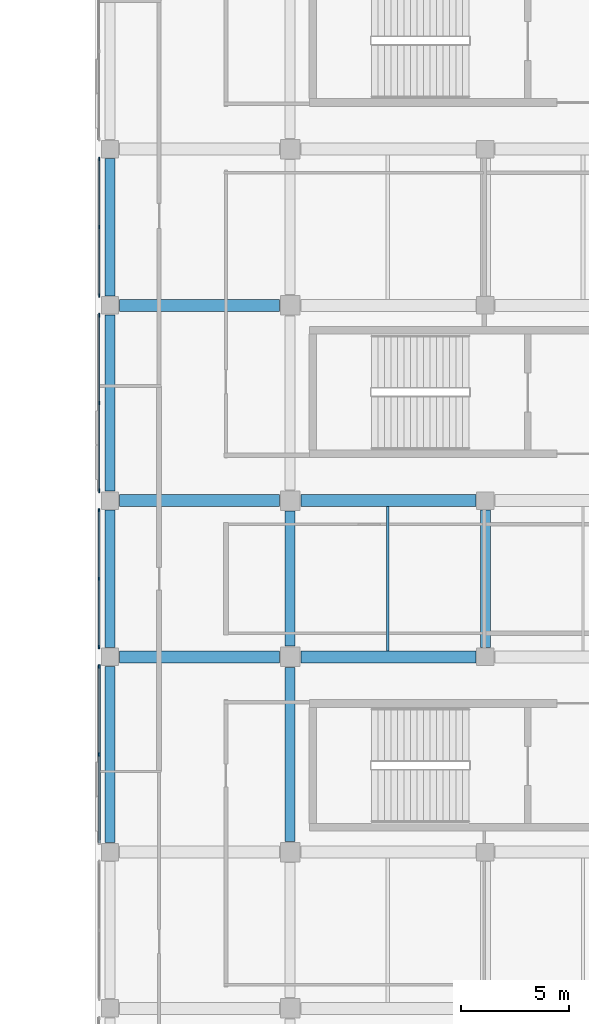
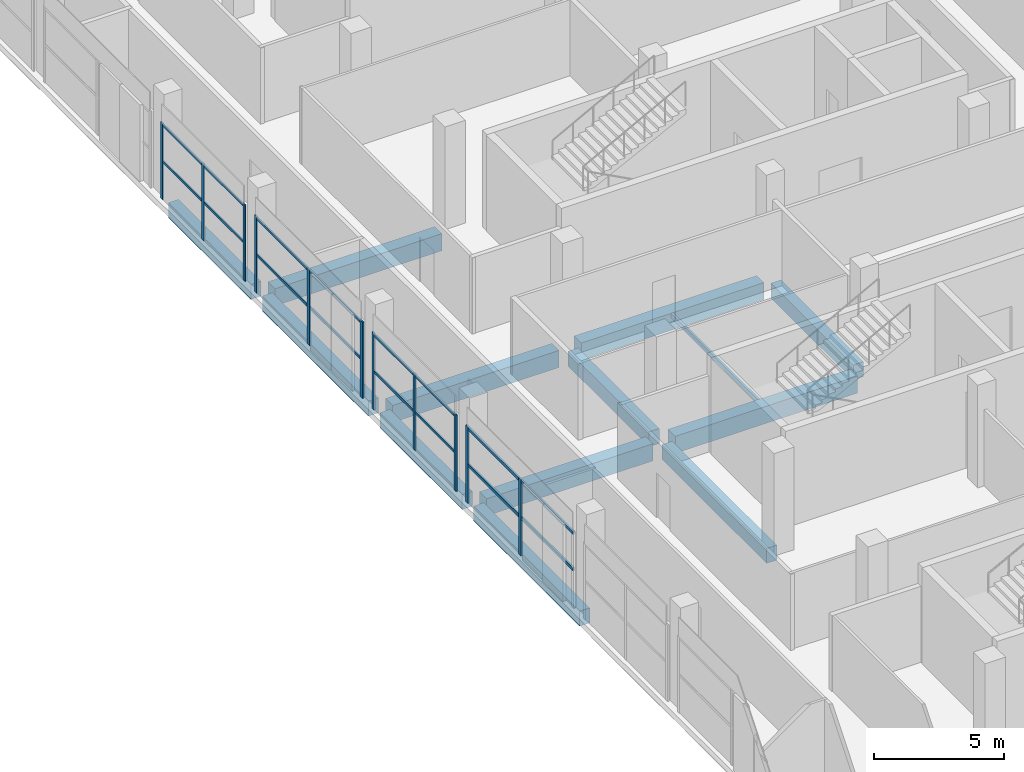
# One storey, part 33 of 111: 19 members, 13 beams, 4 elements without a shape of their own.
"""IFC4 building model written with IfcOpenShell, lengths in metres."""

from ifc_helpers import new_model, si_unit, direction, frame, origin, origin_2d, place, context, subcontext, project, spatial, rectangle, hollow_rectangle, extrude, material, material_profile, profile_set, type_object, element, aggregate, save


model = new_model("IFC4")

# Units and contexts
model_context = context("Model", 3, precision=1e-05, world=origin(), true_north=direction((0.0, 1.0)))
body_context = subcontext(model_context, "Body", "Model", "MODEL_VIEW")
ifc_project = project(units=[si_unit("LENGTHUNIT", "METRE"), si_unit("AREAUNIT", "SQUARE_METRE"), si_unit("VOLUMEUNIT", "CUBIC_METRE"), si_unit("PLANEANGLEUNIT", "RADIAN"), si_unit("MASSUNIT", "GRAM", prefix="KILO"), si_unit("THERMODYNAMICTEMPERATUREUNIT", "KELVIN"), si_unit("POWERUNIT", "WATT")], contexts=[model_context])

# Site, building, storey
site_placement = place(None, origin())
site = spatial("IfcSite", under=ifc_project, at=site_placement, CompositionType="ELEMENT")
building_placement = place(site_placement, origin())
building = spatial("IfcBuilding", under=site, at=building_placement, Name="Sindhuravela Promenade Stadium", CompositionType="ELEMENT")
storey_placement = place(building_placement, frame((0.0, 0.0, 9.60009765625)))
storey = spatial("IfcBuildingStorey", under=building, at=storey_placement, Name="L02", CompositionType="ELEMENT", Elevation=9.60009765625)

# Curtain wall, members
ifc_material_1 = material(Name="Anodised architectural aluminium 6063-T6", Category="aluminium")
curtain_wall_type_1 = type_object("IfcCurtainWallType", Name="CW-MOD-1", PredefinedType="NOTDEFINED", material=ifc_material_1)
curtain_wall_1_placement = place(storey_placement, origin())
curtain_wall_1 = element("IfcCurtainWall", 1, at=curtain_wall_1_placement, inside=storey, type_object=curtain_wall_type_1, Name="Bronze curtain wall CW-EAST-L02-096", PredefinedType="NOTDEFINED")
ifc_material_profile_1 = material_profile(ifc_material_1, rectangle(XDim=0.074951171875, YDim=0.175048828125, at=origin_2d()), Name="ALU MULL 75x175")
ifc_profile_set_1 = profile_set([ifc_material_profile_1], Name="Anodised architectural aluminium 6063-T6")
member_type_1 = type_object("IfcMemberType", Name="CW-MUL-1", PredefinedType="MULLION", material=ifc_profile_set_1)
member_1_placement = place(storey_placement, frame((171.199951171875, 72.89990234375, 0.0), z_axis=(0.0, 0.0, 1.0), x_axis=(1.0, 0.0, 0.0)))
member_1 = element("IfcMember", 2, at=member_1_placement, type_object=member_type_1, Name="Curtain wall mullion CW-EAST-L02-096-M2", PredefinedType="MULLION", context=body_context, shape_type="SweptSolid", body=[
    extrude(rectangle(XDim=0.074951171875, YDim=0.175048828125, at=origin_2d()), origin(), (0.0, 0.0, 1.0), 3.579833984375),
])
member_2_placement = place(storey_placement, frame((171.199951171875, 76.949951171875, 0.0), z_axis=(0.0, 0.0, 1.0), x_axis=(1.0, 0.0, 0.0)))
member_2 = element("IfcMember", 3, at=member_2_placement, type_object=member_type_1, Name="Curtain wall mullion CW-EAST-L02-096-M3", PredefinedType="MULLION", context=body_context, shape_type="SweptSolid", body=[
    extrude(rectangle(XDim=0.074951171875, YDim=0.175048828125, at=origin_2d()), origin(), (0.0, 0.0, 1.0), 3.579833984375),
])

curtain_wall_type_2 = type_object("IfcCurtainWallType", Name="CW-MOD-2", PredefinedType="NOTDEFINED", material=ifc_material_1)
curtain_wall_2_placement = place(storey_placement, origin())
curtain_wall_2 = element("IfcCurtainWall", 4, at=curtain_wall_2_placement, inside=storey, type_object=curtain_wall_type_2, Name="Bronze curtain wall CW-EAST-L02-097", PredefinedType="NOTDEFINED")
ifc_material_profile_2 = material_profile(ifc_material_1, rectangle(XDim=0.06494140625, YDim=0.14990234375, at=origin_2d()), Name="ALU MULL 65x150")
ifc_profile_set_2 = profile_set([ifc_material_profile_2], Name="Anodised architectural aluminium 6063-T6")
member_type_2 = type_object("IfcMemberType", Name="CW-MUL-2", PredefinedType="MULLION", material=ifc_profile_set_2)
member_3_placement = place(storey_placement, frame((171.199951171875, 77.85009765625, 0.0), z_axis=(0.0, 0.0, 1.0), x_axis=(1.0, 0.0, 0.0)))
member_3 = element("IfcMember", 5, at=member_3_placement, type_object=member_type_2, Name="Curtain wall mullion CW-EAST-L02-097-M1", PredefinedType="MULLION", context=body_context, shape_type="SweptSolid", body=[
    extrude(rectangle(XDim=0.06494140625, YDim=0.14990234375, at=origin_2d()), origin(), (0.0, 0.0, 1.0), 3.579833984375),
])
member_4_placement = place(storey_placement, frame((171.199951171875, 81.0, 0.0), z_axis=(0.0, 0.0, 1.0), x_axis=(1.0, 0.0, 0.0)))
member_4 = element("IfcMember", 6, at=member_4_placement, type_object=member_type_2, Name="Curtain wall mullion CW-EAST-L02-097-M2", PredefinedType="MULLION", context=body_context, shape_type="SweptSolid", body=[
    extrude(rectangle(XDim=0.06494140625, YDim=0.14990234375, at=origin_2d()), origin(), (0.0, 0.0, 1.0), 3.579833984375),
])
member_5_placement = place(storey_placement, frame((171.199951171875, 84.14990234375, 0.0), z_axis=(0.0, 0.0, 1.0), x_axis=(1.0, 0.0, 0.0)))
member_5 = element("IfcMember", 7, at=member_5_placement, type_object=member_type_2, Name="Curtain wall mullion CW-EAST-L02-097-M3", PredefinedType="MULLION", context=body_context, shape_type="SweptSolid", body=[
    extrude(rectangle(XDim=0.06494140625, YDim=0.14990234375, at=origin_2d()), origin(), (0.0, 0.0, 1.0), 3.579833984375),
])

curtain_wall_type_3 = type_object("IfcCurtainWallType", Name="CW-MOD-3", PredefinedType="NOTDEFINED", material=ifc_material_1)
curtain_wall_3_placement = place(storey_placement, origin())
curtain_wall_3 = element("IfcCurtainWall", 8, at=curtain_wall_3_placement, inside=storey, type_object=curtain_wall_type_3, Name="Bronze curtain wall CW-EAST-L02-098", PredefinedType="NOTDEFINED")
ifc_material_profile_3 = material_profile(ifc_material_1, rectangle(XDim=0.06005859375, YDim=0.179931640625, at=origin_2d()), Name="ALU M60x180")
ifc_profile_set_3 = profile_set([ifc_material_profile_3], Name="Anodised architectural aluminium 6063-T6")
member_type_3 = type_object("IfcMemberType", Name="CW-MUL-3", PredefinedType="MULLION", material=ifc_profile_set_3)
member_6_placement = place(storey_placement, frame((171.199951171875, 85.050048828125, 0.0), z_axis=(0.0, 0.0, 1.0), x_axis=(1.0, 0.0, 0.0)))
member_6 = element("IfcMember", 9, at=member_6_placement, type_object=member_type_3, Name="Curtain wall mullion CW-EAST-L02-098-M1", PredefinedType="MULLION", context=body_context, shape_type="SweptSolid", body=[
    extrude(rectangle(XDim=0.06005859375, YDim=0.179931640625, at=origin_2d()), origin(), (0.0, 0.0, 1.0), 3.579833984375),
])
member_7_placement = place(storey_placement, frame((171.199951171875, 89.10009765625, 0.0), z_axis=(0.0, 0.0, 1.0), x_axis=(1.0, 0.0, 0.0)))
member_7 = element("IfcMember", 10, at=member_7_placement, type_object=member_type_3, Name="Curtain wall mullion CW-EAST-L02-098-M2", PredefinedType="MULLION", context=body_context, shape_type="SweptSolid", body=[
    extrude(rectangle(XDim=0.06005859375, YDim=0.179931640625, at=origin_2d()), origin(), (0.0, 0.0, 1.0), 3.579833984375),
])
member_8_placement = place(storey_placement, frame((171.199951171875, 93.14990234375, 0.0), z_axis=(0.0, 0.0, 1.0), x_axis=(1.0, 0.0, 0.0)))
member_8 = element("IfcMember", 11, at=member_8_placement, type_object=member_type_3, Name="Curtain wall mullion CW-EAST-L02-098-M3", PredefinedType="MULLION", context=body_context, shape_type="SweptSolid", body=[
    extrude(rectangle(XDim=0.06005859375, YDim=0.179931640625, at=origin_2d()), origin(), (0.0, 0.0, 1.0), 3.579833984375),
])

curtain_wall_type_4 = type_object("IfcCurtainWallType", Name="CW-MOD-4", PredefinedType="NOTDEFINED", material=ifc_material_1)
curtain_wall_4_placement = place(storey_placement, origin())
curtain_wall_4 = element("IfcCurtainWall", 12, at=curtain_wall_4_placement, inside=storey, type_object=curtain_wall_type_4, Name="Bronze curtain wall CW-EAST-L02-099", PredefinedType="NOTDEFINED")
ifc_material_profile_4 = material_profile(ifc_material_1, rectangle(XDim=0.06005859375, YDim=0.159912109375, at=origin_2d()), Name="ALU M60x160")
ifc_profile_set_4 = profile_set([ifc_material_profile_4], Name="Anodised architectural aluminium 6063-T6")
member_type_4 = type_object("IfcMemberType", Name="CW-MUL-4", PredefinedType="MULLION", material=ifc_profile_set_4)
member_9_placement = place(storey_placement, frame((171.199951171875, 94.050048828125, 0.0), z_axis=(0.0, 0.0, 1.0), x_axis=(1.0, 0.0, 0.0)))
member_9 = element("IfcMember", 13, at=member_9_placement, type_object=member_type_4, Name="Curtain wall mullion CW-EAST-L02-099-M1", PredefinedType="MULLION", context=body_context, shape_type="SweptSolid", body=[
    extrude(rectangle(XDim=0.06005859375, YDim=0.159912109375, at=origin_2d()), origin(), (0.0, 0.0, 1.0), 3.579833984375),
])
member_10_placement = place(storey_placement, frame((171.199951171875, 97.199951171875, 0.0), z_axis=(0.0, 0.0, 1.0), x_axis=(1.0, 0.0, 0.0)))
member_10 = element("IfcMember", 14, at=member_10_placement, type_object=member_type_4, Name="Curtain wall mullion CW-EAST-L02-099-M2", PredefinedType="MULLION", context=body_context, shape_type="SweptSolid", body=[
    extrude(rectangle(XDim=0.06005859375, YDim=0.159912109375, at=origin_2d()), origin(), (0.0, 0.0, 1.0), 3.579833984375),
])
member_11_placement = place(storey_placement, frame((171.199951171875, 100.35009765625, 0.0), z_axis=(0.0, 0.0, 1.0), x_axis=(1.0, 0.0, 0.0)))
member_11 = element("IfcMember", 15, at=member_11_placement, type_object=member_type_4, Name="Curtain wall mullion CW-EAST-L02-099-M3", PredefinedType="MULLION", context=body_context, shape_type="SweptSolid", body=[
    extrude(rectangle(XDim=0.06005859375, YDim=0.159912109375, at=origin_2d()), origin(), (0.0, 0.0, 1.0), 3.579833984375),
])

# Member
ifc_material_profile_5 = material_profile(ifc_material_1, rectangle(XDim=0.074951171875, YDim=0.14990234375, at=origin_2d()), Name="ALU TRAN 75x150")
ifc_profile_set_5 = profile_set([ifc_material_profile_5], Name="Anodised architectural aluminium 6063-T6")
member_type_5 = type_object("IfcMemberType", Name="CW-TRN-1", PredefinedType="USERDEFINED", material=ifc_profile_set_5)
member_12_placement = place(storey_placement, frame((171.199951171875, 68.824951171875, 1.789794921875), z_axis=(0.0, 1.0, 0.0), x_axis=(-1.0, 0.0, 0.0)))
member_12 = element("IfcMember", 16, at=member_12_placement, type_object=member_type_5, Name="Curtain wall transom CW-EAST-L02-096-T1", ObjectType="TRANSOM", PredefinedType="USERDEFINED", context=body_context, shape_type="SweptSolid", body=[
    extrude(rectangle(XDim=0.074951171875, YDim=0.14990234375, at=origin_2d()), origin(), (0.0, 0.0, 1.0), 8.150146484375),
])

member_13_placement = place(storey_placement, frame((171.199951171875, 68.824951171875, 3.5), z_axis=(0.0, 1.0, 0.0), x_axis=(-1.0, 0.0, 0.0)))
member_13 = element("IfcMember", 17, at=member_13_placement, type_object=member_type_5, Name="Curtain wall transom CW-EAST-L02-096-T2", ObjectType="TRANSOM", PredefinedType="USERDEFINED", context=body_context, shape_type="SweptSolid", body=[
    extrude(rectangle(XDim=0.074951171875, YDim=0.14990234375, at=origin_2d()), origin(), (0.0, 0.0, 1.0), 8.150146484375),
])

aggregate(curtain_wall_1, [member_1, member_2, member_12, member_13])

ifc_material_profile_6 = material_profile(ifc_material_1, rectangle(XDim=0.06494140625, YDim=0.125, at=origin_2d()), Name="ALU TRAN 65x125")
ifc_profile_set_6 = profile_set([ifc_material_profile_6], Name="Anodised architectural aluminium 6063-T6")
member_type_6 = type_object("IfcMemberType", Name="CW-TRN-2", PredefinedType="USERDEFINED", material=ifc_profile_set_6)
member_14_placement = place(storey_placement, frame((171.199951171875, 77.824951171875, 1.789794921875), z_axis=(0.0, 1.0, 0.0), x_axis=(-1.0, 0.0, 0.0)))
member_14 = element("IfcMember", 18, at=member_14_placement, type_object=member_type_6, Name="Curtain wall transom CW-EAST-L02-097-T1", ObjectType="TRANSOM", PredefinedType="USERDEFINED", context=body_context, shape_type="SweptSolid", body=[
    extrude(rectangle(XDim=0.06494140625, YDim=0.125, at=origin_2d()), origin(), (0.0, 0.0, 1.0), 6.35009765625),
])

member_15_placement = place(storey_placement, frame((171.199951171875, 77.824951171875, 3.5), z_axis=(0.0, 1.0, 0.0), x_axis=(-1.0, 0.0, 0.0)))
member_15 = element("IfcMember", 19, at=member_15_placement, type_object=member_type_6, Name="Curtain wall transom CW-EAST-L02-097-T2", ObjectType="TRANSOM", PredefinedType="USERDEFINED", context=body_context, shape_type="SweptSolid", body=[
    extrude(rectangle(XDim=0.06494140625, YDim=0.125, at=origin_2d()), origin(), (0.0, 0.0, 1.0), 6.35009765625),
])

aggregate(curtain_wall_2, [member_3, member_4, member_5, member_14, member_15])

ifc_material_profile_7 = material_profile(ifc_material_1, rectangle(XDim=0.06005859375, YDim=0.1298828125, at=origin_2d()), Name="ALU T60x130")
ifc_profile_set_7 = profile_set([ifc_material_profile_7], Name="Anodised architectural aluminium 6063-T6")
member_type_7 = type_object("IfcMemberType", Name="CW-TRN-3", PredefinedType="USERDEFINED", material=ifc_profile_set_7)
member_16_placement = place(storey_placement, frame((171.199951171875, 85.02490234375, 1.789794921875), z_axis=(0.0, 1.0, 0.0), x_axis=(-1.0, 0.0, 0.0)))
member_16 = element("IfcMember", 20, at=member_16_placement, type_object=member_type_7, Name="Curtain wall transom CW-EAST-L02-098-T1", ObjectType="TRANSOM", PredefinedType="USERDEFINED", context=body_context, shape_type="SweptSolid", body=[
    extrude(rectangle(XDim=0.06005859375, YDim=0.1298828125, at=origin_2d()), origin(), (0.0, 0.0, 1.0), 8.150146484375),
])

member_17_placement = place(storey_placement, frame((171.199951171875, 85.02490234375, 3.5), z_axis=(0.0, 1.0, 0.0), x_axis=(-1.0, 0.0, 0.0)))
member_17 = element("IfcMember", 21, at=member_17_placement, type_object=member_type_7, Name="Curtain wall transom CW-EAST-L02-098-T2", ObjectType="TRANSOM", PredefinedType="USERDEFINED", context=body_context, shape_type="SweptSolid", body=[
    extrude(rectangle(XDim=0.06005859375, YDim=0.1298828125, at=origin_2d()), origin(), (0.0, 0.0, 1.0), 8.150146484375),
])

aggregate(curtain_wall_3, [member_6, member_7, member_8, member_16, member_17])

ifc_material_profile_8 = material_profile(ifc_material_1, rectangle(XDim=0.06005859375, YDim=0.1201171875, at=origin_2d()), Name="ALU T60x120")
ifc_profile_set_8 = profile_set([ifc_material_profile_8], Name="Anodised architectural aluminium 6063-T6")
member_type_8 = type_object("IfcMemberType", Name="CW-TRN-4", PredefinedType="USERDEFINED", material=ifc_profile_set_8)
member_18_placement = place(storey_placement, frame((171.199951171875, 94.02490234375, 1.789794921875), z_axis=(0.0, 1.0, 0.0), x_axis=(-1.0, 0.0, 0.0)))
member_18 = element("IfcMember", 22, at=member_18_placement, type_object=member_type_8, Name="Curtain wall transom CW-EAST-L02-099-T1", ObjectType="TRANSOM", PredefinedType="USERDEFINED", context=body_context, shape_type="SweptSolid", body=[
    extrude(rectangle(XDim=0.06005859375, YDim=0.1201171875, at=origin_2d()), origin(), (0.0, 0.0, 1.0), 6.35009765625),
])

member_19_placement = place(storey_placement, frame((171.199951171875, 94.02490234375, 3.5), z_axis=(0.0, 1.0, 0.0), x_axis=(-1.0, 0.0, 0.0)))
member_19 = element("IfcMember", 23, at=member_19_placement, type_object=member_type_8, Name="Curtain wall transom CW-EAST-L02-099-T2", ObjectType="TRANSOM", PredefinedType="USERDEFINED", context=body_context, shape_type="SweptSolid", body=[
    extrude(rectangle(XDim=0.06005859375, YDim=0.1201171875, at=origin_2d()), origin(), (0.0, 0.0, 1.0), 6.35009765625),
])

aggregate(curtain_wall_4, [member_9, member_10, member_11, member_18, member_19])

# Beams
ifc_material_2 = material(Name="Concrete M40", Category="concrete")
ifc_material_profile_9 = material_profile(ifc_material_2, rectangle(XDim=0.449951171875, YDim=0.699951171875, at=origin_2d()), Name="RC 450x700")
ifc_profile_set_9 = profile_set([ifc_material_profile_9], Name="Concrete M40")
beam_type_1 = type_object("IfcBeamType", Name="RC-BM-450x700", PredefinedType="BEAM", material=ifc_profile_set_9)
beam_1_placement = place(storey_placement, frame((171.699951171875, 68.840087890625, -0.630126953125), z_axis=(0.0, 1.0, 0.0), x_axis=(-1.0, 0.0, 0.0)))
element("IfcBeam", 24, at=beam_1_placement, inside=storey, type_object=beam_type_1, Name="Primary beam GB07 EAST L02", PredefinedType="BEAM", context=body_context, shape_type="SweptSolid", body=[
    extrude(rectangle(XDim=0.449951171875, YDim=0.699951171875, at=origin_2d()), origin(), (0.0, 0.0, 1.0), 8.119873046875),
])
beam_2_placement = place(storey_placement, frame((171.699951171875, 77.840087890625, -0.630126953125), z_axis=(0.0, 1.0, 0.0), x_axis=(-1.0, 0.0, 0.0)))
element("IfcBeam", 25, at=beam_2_placement, inside=storey, type_object=beam_type_1, Name="Primary beam GB07 EAST L02", PredefinedType="BEAM", context=body_context, shape_type="SweptSolid", body=[
    extrude(rectangle(XDim=0.449951171875, YDim=0.699951171875, at=origin_2d()), origin(), (0.0, 0.0, 1.0), 6.31982421875),
])
beam_3_placement = place(storey_placement, frame((171.699951171875, 85.0400390625, -0.630126953125), z_axis=(0.0, 1.0, 0.0), x_axis=(-1.0, 0.0, 0.0)))
element("IfcBeam", 26, at=beam_3_placement, inside=storey, type_object=beam_type_1, Name="Primary beam GB07 EAST L02", PredefinedType="BEAM", context=body_context, shape_type="SweptSolid", body=[
    extrude(rectangle(XDim=0.449951171875, YDim=0.699951171875, at=origin_2d()), origin(), (0.0, 0.0, 1.0), 8.119873046875),
])
beam_4_placement = place(storey_placement, frame((171.699951171875, 94.0400390625, -0.630126953125), z_axis=(0.0, 1.0, 0.0), x_axis=(-1.0, 0.0, 0.0)))
element("IfcBeam", 27, at=beam_4_placement, inside=storey, type_object=beam_type_1, Name="Primary beam GB07 EAST L02", PredefinedType="BEAM", context=body_context, shape_type="SweptSolid", body=[
    extrude(rectangle(XDim=0.449951171875, YDim=0.699951171875, at=origin_2d()), origin(), (0.0, 0.0, 1.0), 6.320068359375),
])
beam_5_placement = place(storey_placement, frame((180.0, 68.889892578125, -0.630126953125), z_axis=(0.0, 1.0, 0.0), x_axis=(-1.0, 0.0, 0.0)))
element("IfcBeam", 28, at=beam_5_placement, inside=storey, type_object=beam_type_1, Name="Primary beam GB07 EAST L02", PredefinedType="BEAM", context=body_context, shape_type="SweptSolid", body=[
    extrude(rectangle(XDim=0.449951171875, YDim=0.699951171875, at=origin_2d()), origin(), (0.0, 0.0, 1.0), 8.02001953125),
])
beam_6_placement = place(storey_placement, frame((180.0, 77.889892578125, -0.630126953125), z_axis=(0.0, 1.0, 0.0), x_axis=(-1.0, 0.0, 0.0)))
element("IfcBeam", 29, at=beam_6_placement, inside=storey, type_object=beam_type_1, Name="Primary beam GB07 EAST L02", PredefinedType="BEAM", context=body_context, shape_type="SweptSolid", body=[
    extrude(rectangle(XDim=0.449951171875, YDim=0.699951171875, at=origin_2d()), origin(), (0.0, 0.0, 1.0), 6.22021484375),
])
beam_7_placement = place(storey_placement, frame((189.0, 77.840087890625, -0.630126953125), z_axis=(0.0, 1.0, 0.0), x_axis=(-1.0, 0.0, 0.0)))
element("IfcBeam", 30, at=beam_7_placement, inside=storey, type_object=beam_type_1, Name="Primary beam GB07 EAST L02", PredefinedType="BEAM", context=body_context, shape_type="SweptSolid", body=[
    extrude(rectangle(XDim=0.449951171875, YDim=0.699951171875, at=origin_2d()), origin(), (0.0, 0.0, 1.0), 6.31982421875),
])
ifc_material_profile_10 = material_profile(ifc_material_2, rectangle(XDim=0.550048828125, YDim=0.800048828125, at=origin_2d()), Name="RC 550x800")
ifc_profile_set_10 = profile_set([ifc_material_profile_10], Name="Concrete M40")
beam_type_2 = type_object("IfcBeamType", Name="RC-BM-550x800", PredefinedType="BEAM", material=ifc_profile_set_10)
beam_8_placement = place(storey_placement, frame((172.139892578125, 77.39990234375, -0.68017578125), z_axis=(1.0, 0.0, 0.0), x_axis=(0.0, 1.0, 0.0)))
element("IfcBeam", 31, at=beam_8_placement, inside=storey, type_object=beam_type_2, Name="Primary girder GB05 EAST L02", PredefinedType="BEAM", context=body_context, shape_type="SweptSolid", body=[
    extrude(rectangle(XDim=0.550048828125, YDim=0.800048828125, at=origin_2d()), origin(), (0.0, 0.0, 1.0), 7.3701171875),
])
beam_9_placement = place(storey_placement, frame((180.489990234375, 77.39990234375, -0.68017578125), z_axis=(1.0, 0.0, 0.0), x_axis=(0.0, 1.0, 0.0)))
element("IfcBeam", 32, at=beam_9_placement, inside=storey, type_object=beam_type_2, Name="Primary girder GB05 EAST L02", PredefinedType="BEAM", context=body_context, shape_type="SweptSolid", body=[
    extrude(rectangle(XDim=0.550048828125, YDim=0.800048828125, at=origin_2d()), origin(), (0.0, 0.0, 1.0), 8.070068359375),
])
beam_10_placement = place(storey_placement, frame((172.139892578125, 84.60009765625, -0.68017578125), z_axis=(1.0, 0.0, 0.0), x_axis=(0.0, 1.0, 0.0)))
element("IfcBeam", 33, at=beam_10_placement, inside=storey, type_object=beam_type_2, Name="Primary girder GB05 EAST L02", PredefinedType="BEAM", context=body_context, shape_type="SweptSolid", body=[
    extrude(rectangle(XDim=0.550048828125, YDim=0.800048828125, at=origin_2d()), origin(), (0.0, 0.0, 1.0), 7.3701171875),
])
beam_11_placement = place(storey_placement, frame((180.489990234375, 84.60009765625, -0.68017578125), z_axis=(1.0, 0.0, 0.0), x_axis=(0.0, 1.0, 0.0)))
element("IfcBeam", 34, at=beam_11_placement, inside=storey, type_object=beam_type_2, Name="Primary girder GB05 EAST L02", PredefinedType="BEAM", context=body_context, shape_type="SweptSolid", body=[
    extrude(rectangle(XDim=0.550048828125, YDim=0.800048828125, at=origin_2d()), origin(), (0.0, 0.0, 1.0), 8.070068359375),
])
beam_12_placement = place(storey_placement, frame((172.139892578125, 93.60009765625, -0.68017578125), z_axis=(1.0, 0.0, 0.0), x_axis=(0.0, 1.0, 0.0)))
element("IfcBeam", 35, at=beam_12_placement, inside=storey, type_object=beam_type_2, Name="Primary girder GB05 EAST L02", PredefinedType="BEAM", context=body_context, shape_type="SweptSolid", body=[
    extrude(rectangle(XDim=0.550048828125, YDim=0.800048828125, at=origin_2d()), origin(), (0.0, 0.0, 1.0), 7.3701171875),
])
ifc_material_3 = material(Name="Steel E350 (IS 2062 E350BR)", Category="steel")
ifc_material_profile_11 = material_profile(ifc_material_3, hollow_rectangle(XDim=0.10009765625, YDim=0.199951171875, WallThickness=0.008056640625, at=origin_2d()), Name="RHS 200x100x8")
ifc_profile_set_11 = profile_set([ifc_material_profile_11], Name="Steel E350 (IS 2062 E350BR)")
beam_type_3 = type_object("IfcBeamType", Name="ST-BM-LNT200", PredefinedType="LINTEL", material=ifc_profile_set_11)
beam_13_placement = place(storey_placement, frame((184.5, 77.6650390625, -0.380126953125), z_axis=(0.0, 1.0, 0.0), x_axis=(-1.0, 0.0, 0.0)))
element("IfcBeam", 36, at=beam_13_placement, inside=storey, type_object=beam_type_3, Name="Secondary floor joist LN01 EAST L02", PredefinedType="LINTEL", context=body_context, shape_type="SweptSolid", body=[
    extrude(hollow_rectangle(XDim=0.10009765625, YDim=0.199951171875, WallThickness=0.008056640625, at=origin_2d()), origin(), (0.0, 0.0, 1.0), 6.669921875),
])

save(model, "model.ifc")
